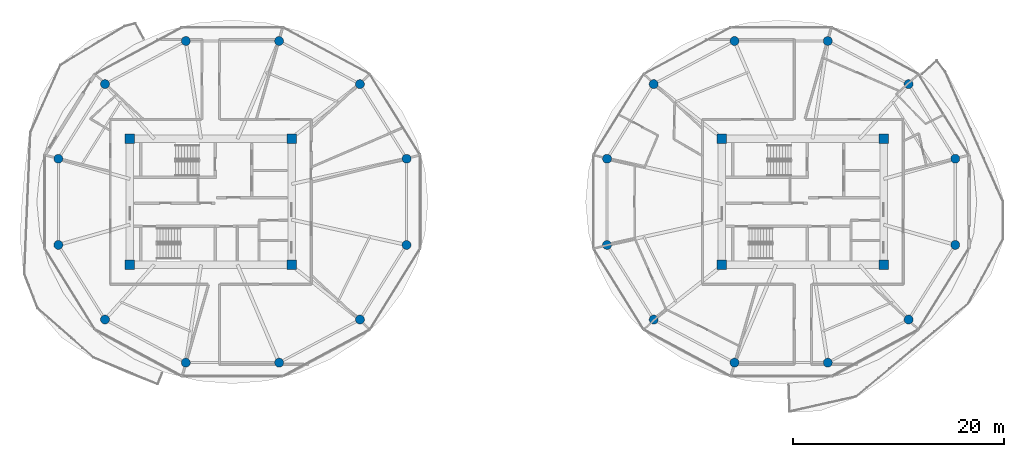
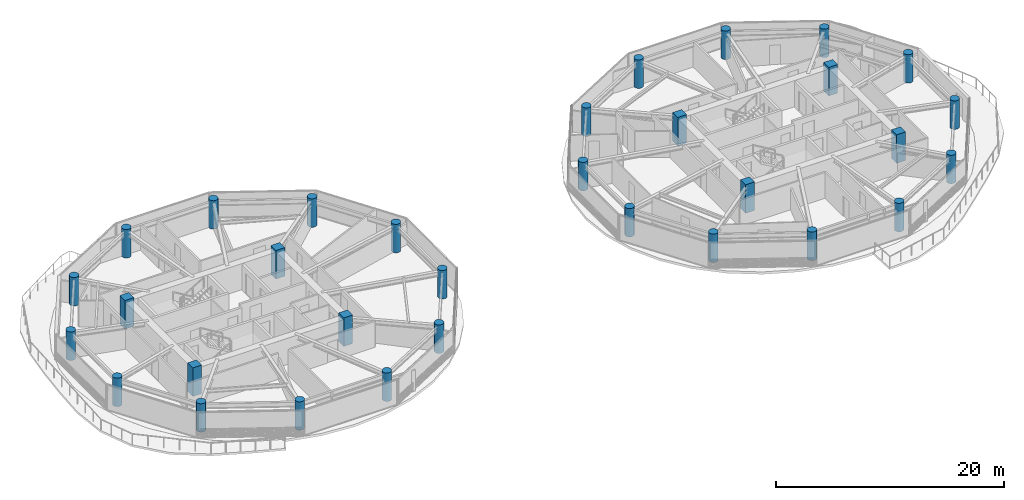
# One storey, part 1 of 22: 32 columns.
"""IFC4 building model written with IfcOpenShell, lengths in metres."""

import ifcopenshell
import ifcopenshell.guid

model = None  # the IFC model being written
_history = None  # IfcOwnerHistory: only IFC2X3 demands one
_inside = {}  # id of a spatial element -> (the spatial element, [elements in it])
_under = {}  # id of a project, library or spatial element -> (it, [spatial elements below it])
_declared = {}  # id of a project -> (the project, [libraries it declares])
_typed = {}  # id of a type object -> (the type object, [elements of that type])
_made_of = {}  # id of a material, layer set ... -> (it, [elements and type objects made of it])


def new_model(schema):
    """Start an empty IFC model of exactly this schema.

    Asked for "IFC4X3", IfcOpenShell would pick the latest addendum, in which some entities
    have other attributes; the version numbers below select the first issue.
    IFC2X3 requires an IfcOwnerHistory on every rooted entity: one is made here for all.
    """
    global model, _history
    if schema == "IFC4X3":
        model = ifcopenshell.file(schema_version=(4, 3, 0, 0))
    else:
        model = ifcopenshell.file(schema=schema)
    _inside.clear()
    _under.clear()
    _declared.clear()
    _typed.clear()
    _made_of.clear()
    _history = None
    if model.schema == "IFC2X3":
        org = make("IfcOrganization", Name="unknown")
        user = make(
            "IfcPersonAndOrganization",
            ThePerson=make("IfcPerson", FamilyName="unknown"),
            TheOrganization=org,
        )
        app = make(
            "IfcApplication",
            ApplicationDeveloper=org,
            Version="unknown",
            ApplicationFullName="unknown",
            ApplicationIdentifier="unknown",
        )
        _history = make(
            "IfcOwnerHistory",
            OwningUser=user,
            OwningApplication=app,
            ChangeAction="ADDED",
            CreationDate=0,
        )
    return model


def make(cls, **values):
    """One entity of the class cls with the attributes given. An attribute that is None is left unset."""
    return model.create_entity(
        cls, **{name: value for name, value in values.items() if value is not None}
    )


def rooted(cls, **values):
    """An entity with a GlobalId (a new one), such as an element, a storey or a relation."""
    return make(cls, GlobalId=ifcopenshell.guid.new(), OwnerHistory=_history, **values)


def si_unit(unit_type, name, prefix=None):
    """IfcSIUnit, for example si_unit("LENGTHUNIT", "METRE", prefix="MILLI")."""
    return make("IfcSIUnit", UnitType=unit_type, Prefix=prefix, Name=name)


def assignment(units):
    """IfcUnitAssignment: the units of a project."""
    return None if units is None else make("IfcUnitAssignment", Units=units)


def point(xyz):
    """IfcCartesianPoint."""
    return None if xyz is None else make("IfcCartesianPoint", Coordinates=xyz)


def direction(xyz):
    """IfcDirection."""
    return None if xyz is None else make("IfcDirection", DirectionRatios=xyz)


def frame(location, z_axis=None, x_axis=None):
    """IfcAxis2Placement3D, a coordinate frame: its origin and axes. An axis left out is left unset."""
    return make(
        "IfcAxis2Placement3D",
        Location=point(location),
        Axis=direction(z_axis),
        RefDirection=direction(x_axis),
    )


def frame_2d(location, x_axis=None):
    """IfcAxis2Placement2D, a coordinate frame in the plane: its origin and x axis."""
    return make(
        "IfcAxis2Placement2D", Location=point(location), RefDirection=direction(x_axis)
    )


def origin():
    """The frame at (0, 0, 0) with its axes left unset."""
    return frame((0.0, 0.0, 0.0))


def origin_2d():
    """The frame at (0, 0) in the plane with its x axis left unset."""
    return frame_2d((0.0, 0.0))


def place(relative_to, where):
    """IfcLocalPlacement: puts the frame where relative to a parent placement (None: the world)."""
    return make(
        "IfcLocalPlacement", PlacementRelTo=relative_to, RelativePlacement=where
    )


def context(
    kind, dimensions, precision=None, world=None, true_north=None, identifier=None
):
    """IfcGeometricRepresentationContext, for example the 3D "Model" context."""
    return make(
        "IfcGeometricRepresentationContext",
        ContextIdentifier=identifier,
        ContextType=kind,
        CoordinateSpaceDimension=dimensions,
        Precision=precision,
        WorldCoordinateSystem=world,
        TrueNorth=true_north,
    )


def subcontext(parent, identifier, kind, view, scale=None):
    """IfcGeometricRepresentationSubContext, for example "Body" below "Model"."""
    return make(
        "IfcGeometricRepresentationSubContext",
        ContextIdentifier=identifier,
        ContextType=kind,
        ParentContext=parent,
        TargetScale=scale,
        TargetView=view,
    )


def project(units=None, contexts=None):
    """IfcProject with its units and contexts."""
    return rooted(
        "IfcProject",
        Name="project",
        RepresentationContexts=contexts,
        UnitsInContext=assignment(units),
    )


def spatial(cls, under=None, at=None, **own):
    """A site, building, storey or space (cls), placed at a placement, below another one or the project."""
    s = rooted(cls, ObjectPlacement=at, **own)
    if under is not None:
        _under.setdefault(under.id(), (under, []))[1].append(s)
    return s


def profile(cls, at=None, kind="AREA", **sizes):
    """A parametric profile (cls). Its sizes go by their IFC names, for example OverallWidth=200.0."""
    return make(cls, ProfileType=kind, Position=at, **sizes)


def rectangle(**sizes):
    """IfcRectangleProfileDef."""
    return profile("IfcRectangleProfileDef", **sizes)


def circle(**sizes):
    """IfcCircleProfileDef."""
    return profile("IfcCircleProfileDef", **sizes)


def extrude(swept, where, along, depth):
    """IfcExtrudedAreaSolid: the profile swept, set in the frame where, extruded along a direction by depth."""
    return make(
        "IfcExtrudedAreaSolid",
        SweptArea=swept,
        Position=where,
        ExtrudedDirection=direction(along),
        Depth=depth,
    )


def shape(context_of_items, identifier, shape_type, items):
    """IfcShapeRepresentation: the items that make up one representation, for example the "Body"."""
    return make(
        "IfcShapeRepresentation",
        ContextOfItems=context_of_items,
        RepresentationIdentifier=identifier,
        RepresentationType=shape_type,
        Items=items,
    )


def source(mapping_origin, context_of_items, identifier, shape_type, items):
    """IfcRepresentationMap: a shape defined once, which mapped items show again and again."""
    return make(
        "IfcRepresentationMap",
        MappingOrigin=mapping_origin,
        MappedRepresentation=shape(context_of_items, identifier, shape_type, items),
    )


def transform(
    local_origin,
    x_axis=None,
    y_axis=None,
    z_axis=None,
    scale=None,
    scale2=None,
    scale3=None,
    uniform=True,
):
    """IfcCartesianTransformationOperator3D, or its non-uniform kind. x_axis, y_axis, z_axis: its Axis1, 2, 3."""
    if uniform:
        return make(
            "IfcCartesianTransformationOperator3D",
            Axis1=direction(x_axis),
            Axis2=direction(y_axis),
            LocalOrigin=point(local_origin),
            Scale=scale,
            Axis3=direction(z_axis),
        )
    return make(
        "IfcCartesianTransformationOperator3DnonUniform",
        Axis1=direction(x_axis),
        Axis2=direction(y_axis),
        LocalOrigin=point(local_origin),
        Scale=scale,
        Axis3=direction(z_axis),
        Scale2=scale2,
        Scale3=scale3,
    )


def mapped(mapping_source, mapping_target):
    """IfcMappedItem: shows the shape of a source again, moved by a transform."""
    return make(
        "IfcMappedItem", MappingSource=mapping_source, MappingTarget=mapping_target
    )


def material(Name=None, Category=None):
    """IfcMaterial."""
    return make("IfcMaterial", Name=Name, Category=Category)


def material_profile(
    of_material, cross_section, Name=None, Category=None, Priority=None
):
    """IfcMaterialProfile: a cross section and its material."""
    return make(
        "IfcMaterialProfile",
        Name=Name,
        Material=of_material,
        Profile=cross_section,
        Priority=Priority,
        Category=Category,
    )


def profile_set(profiles, Name=None, composite=None):
    """IfcMaterialProfileSet."""
    return make(
        "IfcMaterialProfileSet",
        Name=Name,
        MaterialProfiles=profiles,
        CompositeProfile=composite,
    )


def made_of(thing, what):
    """Note that an element or type object is made of a material, layer set ...; save() writes the relation."""
    if what is not None:
        _made_of.setdefault(what.id(), (what, []))[1].append(thing)
    return thing


def type_object(cls, material=None, **own):
    """A type object (cls), such as IfcWallType, which elements share."""
    return made_of(rooted(cls, **own), material)


def type_shapes(of_type, sources):
    """Give a type object the sources (RepresentationMaps) that its elements show as mapped items."""
    of_type.RepresentationMaps = sources


def element(
    cls,
    number,
    at=None,
    inside=None,
    cuts=None,
    type_object=None,
    material=None,
    context=None,
    identifier="Body",
    shape_type=None,
    held_by="IfcProductDefinitionShape",
    body=None,
    shapes=None,
    **own,
):
    """One element of the class cls, such as IfcWall. Its Tag is "e" and its number.

    at: its placement. inside: the storey or other place that contains it. cuts: it is an
    opening in that element (IfcRelVoidsElement). A single representation is given by context,
    identifier, shape_type and body (its items); several are given by shapes. held_by: the class
    of the entity that holds the representations. save() writes the other relations.
    """
    e = rooted(cls, Tag="e%d" % number, ObjectPlacement=at, **own)
    if body is not None:
        shapes = [shape(context, identifier, shape_type, body)]
    if shapes is not None:
        e.Representation = make(held_by, Representations=shapes)
    if inside is not None:
        _inside.setdefault(inside.id(), (inside, []))[1].append(e)
    if cuts is not None:
        rooted(
            "IfcRelVoidsElement", RelatingBuildingElement=cuts, RelatedOpeningElement=e
        )
    if type_object is not None:
        _typed.setdefault(type_object.id(), (type_object, []))[1].append(e)
    return made_of(e, material)


def aggregate(whole, parts):
    """IfcRelAggregates: a whole, such as a stair, and the parts it consists of."""
    return rooted("IfcRelAggregates", RelatingObject=whole, RelatedObjects=parts)


def save(model, path):
    """Write the relations noted so far, then the file.

    IfcRelAggregates (storeys below a building ...), IfcRelContainedInSpatialStructure (elements
    in a storey), IfcRelDefinesByType, IfcRelAssociatesMaterial and IfcRelDeclares: one each for
    every whole, place, type object, material and project.
    """
    for whole, parts in _under.values():
        aggregate(whole, parts)
    for where, things in _inside.values():
        rooted(
            "IfcRelContainedInSpatialStructure",
            RelatedElements=things,
            RelatingStructure=where,
        )
    for kind, things in _typed.values():
        rooted("IfcRelDefinesByType", RelatedObjects=things, RelatingType=kind)
    for what, things in _made_of.values():
        rooted("IfcRelAssociatesMaterial", RelatedObjects=things, RelatingMaterial=what)
    for by, libraries in _declared.values():
        rooted("IfcRelDeclares", RelatingContext=by, RelatedDefinitions=libraries)
    model.write(path)


model = new_model("IFC4")

# Units and contexts
model_context = context("Model", 3, precision=1e-05, world=origin(), true_north=direction((0.0, 1.0)))
body_context = subcontext(model_context, "Body", "Model", "MODEL_VIEW")
ifc_project = project(units=[si_unit("LENGTHUNIT", "METRE"), si_unit("AREAUNIT", "SQUARE_METRE"), si_unit("VOLUMEUNIT", "CUBIC_METRE"), si_unit("PLANEANGLEUNIT", "RADIAN"), si_unit("MASSUNIT", "GRAM", prefix="KILO")], contexts=[model_context])

# Site, building, storey
site_placement = place(None, origin())
site = spatial("IfcSite", under=ifc_project, at=site_placement, CompositionType="ELEMENT")
building_placement = place(site_placement, origin())
building = spatial("IfcBuilding", under=site, at=building_placement, Name="Norrkilde Senior Care Towers", CompositionType="ELEMENT")
storey_placement = place(building_placement, frame((0.0, 0.0, 96.25)))
storey = spatial("IfcBuildingStorey", under=building, at=storey_placement, Name="L29", CompositionType="ELEMENT", Elevation=96.25)

# Columns
ifc_material = material(Name="Concrete C60/75", Category="concrete")
ifc_material_profile_1 = material_profile(ifc_material, rectangle(XDim=0.89990234375, YDim=0.89990234375, at=origin_2d()), Name="RC COL 900x900")
ifc_profile_set_1 = profile_set([ifc_material_profile_1], Name="Concrete C60/75")
column_type_1 = type_object("IfcColumnType", Name="Column Core Corner Z1-Z2 900", PredefinedType="COLUMN", material=ifc_profile_set_1)
shared_shape_1 = source(origin(), body_context, "Body", "SweptSolid", [
    extrude(rectangle(XDim=0.89990234375, YDim=0.89990234375, at=origin_2d()), origin(), (0.0, 0.0, 1.0), 3.050048828125),
])
type_shapes(column_type_1, [shared_shape_1])
for number, where, z_axis, x_axis, name in (
    (1, (-35.64990234375, -5.949951171875, 0.0), (0.0, 0.0, 1.0), (1.0, 0.0, 0.0), "L29 Core W Corner Column 1"),
    (2, (-20.35009765625, -5.949951171875, 0.0), (0.0, 0.0, 1.0), (1.0, 0.0, 0.0), "L29 Core W Corner Column 2"),
    (3, (-20.35009765625, 5.949951171875, 0.0), (0.0, 0.0, 1.0), (1.0, 0.0, 0.0), "L29 Core W Corner Column 3"),
    (4, (-35.64990234375, 5.949951171875, 0.0), (0.0, 0.0, 1.0), (1.0, 0.0, 0.0), "L29 Core W Corner Column 4"),
    (5, (20.35009765625, -5.949951171875, 0.0), (0.0, 0.0, 1.0), (1.0, 0.0, 0.0), "L29 Core E Corner Column 1"),
    (6, (35.64990234375, -5.949951171875, 0.0), (0.0, 0.0, 1.0), (1.0, 0.0, 0.0), "L29 Core E Corner Column 2"),
    (7, (35.64990234375, 5.949951171875, 0.0), (0.0, 0.0, 1.0), (1.0, 0.0, 0.0), "L29 Core E Corner Column 3"),
    (8, (20.35009765625, 5.949951171875, 0.0), (0.0, 0.0, 1.0), (1.0, 0.0, 0.0), "L29 Core E Corner Column 4"),
):
    element("IfcColumn", number, at=place(storey_placement, frame(where, z_axis=z_axis, x_axis=x_axis)), inside=storey, type_object=column_type_1, Name=name, PredefinedType="COLUMN", context=body_context, shape_type="MappedRepresentation", body=[
        mapped(shared_shape_1, transform((0.0, 0.0, 0.0), x_axis=(1.0, 0.0, 0.0), y_axis=(0.0, 1.0, 0.0), z_axis=(0.0, 0.0, 1.0), scale=1.0)),
    ])
ifc_material_profile_2 = material_profile(ifc_material, circle(Radius=0.425048828125, at=origin_2d()), Name="RC CIR 850")
ifc_profile_set_2 = profile_set([ifc_material_profile_2], Name="Concrete C60/75")
column_type_2 = type_object("IfcColumnType", Name="Column Perimeter Z2 850", PredefinedType="COLUMN", material=ifc_profile_set_2)
shared_shape_2 = source(origin(), body_context, "Body", "SweptSolid", [
    extrude(circle(Radius=0.425048828125, at=origin_2d()), origin(), (0.0, 0.0, 1.0), 3.050048828125),
])
type_shapes(column_type_2, [shared_shape_2])
for number, where, z_axis, x_axis, name in (
    (9, (-9.48095703125, 4.076416015625, 0.0), (0.0, 0.0, 1.0), (1.0, 0.0, 0.0), "L29 Drum W Perimeter Column 01"),
    (10, (-13.893798828125, 11.136962890625, 0.0), (0.0, 0.0, 1.0), (1.0, 0.0, 0.0), "L29 Drum W Perimeter Column 02"),
    (11, (-21.537109375, 15.21337890625, 0.0), (0.0, 0.0, 1.0), (1.0, 0.0, 0.0), "L29 Drum W Perimeter Column 03"),
    (12, (-30.36279296875, 15.21337890625, 0.0), (0.0, 0.0, 1.0), (1.0, 0.0, 0.0), "L29 Drum W Perimeter Column 04"),
    (13, (-38.006103515625, 11.136962890625, 0.0), (0.0, 0.0, 1.0), (1.0, 0.0, 0.0), "L29 Drum W Perimeter Column 05"),
    (14, (-42.4189453125, 4.076416015625, 0.0), (0.0, 0.0, 1.0), (1.0, 0.0, 0.0), "L29 Drum W Perimeter Column 06"),
    (15, (-42.4189453125, -4.076416015625, 0.0), (0.0, 0.0, 1.0), (1.0, 0.0, 0.0), "L29 Drum W Perimeter Column 07"),
    (16, (-38.006103515625, -11.136962890625, 0.0), (0.0, 0.0, 1.0), (1.0, 0.0, 0.0), "L29 Drum W Perimeter Column 08"),
    (17, (-30.36279296875, -15.21337890625, 0.0), (0.0, 0.0, 1.0), (1.0, 0.0, 0.0), "L29 Drum W Perimeter Column 09"),
    (18, (-21.537109375, -15.21337890625, 0.0), (0.0, 0.0, 1.0), (1.0, 0.0, 0.0), "L29 Drum W Perimeter Column 10"),
    (19, (-13.893798828125, -11.136962890625, 0.0), (0.0, 0.0, 1.0), (1.0, 0.0, 0.0), "L29 Drum W Perimeter Column 11"),
    (20, (-9.48095703125, -4.076416015625, 0.0), (0.0, 0.0, 1.0), (1.0, 0.0, 0.0), "L29 Drum W Perimeter Column 12"),
    (21, (42.4189453125, 4.076416015625, 0.0), (0.0, 0.0, 1.0), (1.0, 0.0, 0.0), "L29 Drum E Perimeter Column 01"),
    (22, (38.006103515625, 11.136962890625, 0.0), (0.0, 0.0, 1.0), (1.0, 0.0, 0.0), "L29 Drum E Perimeter Column 02"),
    (23, (30.36279296875, 15.21337890625, 0.0), (0.0, 0.0, 1.0), (1.0, 0.0, 0.0), "L29 Drum E Perimeter Column 03"),
    (24, (21.537109375, 15.21337890625, 0.0), (0.0, 0.0, 1.0), (1.0, 0.0, 0.0), "L29 Drum E Perimeter Column 04"),
    (25, (13.893798828125, 11.136962890625, 0.0), (0.0, 0.0, 1.0), (1.0, 0.0, 0.0), "L29 Drum E Perimeter Column 05"),
    (26, (9.48095703125, 4.076416015625, 0.0), (0.0, 0.0, 1.0), (1.0, 0.0, 0.0), "L29 Drum E Perimeter Column 06"),
    (27, (9.48095703125, -4.076416015625, 0.0), (0.0, 0.0, 1.0), (1.0, 0.0, 0.0), "L29 Drum E Perimeter Column 07"),
    (28, (13.893798828125, -11.136962890625, 0.0), (0.0, 0.0, 1.0), (1.0, 0.0, 0.0), "L29 Drum E Perimeter Column 08"),
    (29, (21.537109375, -15.21337890625, 0.0), (0.0, 0.0, 1.0), (1.0, 0.0, 0.0), "L29 Drum E Perimeter Column 09"),
    (30, (30.36279296875, -15.21337890625, 0.0), (0.0, 0.0, 1.0), (1.0, 0.0, 0.0), "L29 Drum E Perimeter Column 10"),
    (31, (38.006103515625, -11.136962890625, 0.0), (0.0, 0.0, 1.0), (1.0, 0.0, 0.0), "L29 Drum E Perimeter Column 11"),
    (32, (42.4189453125, -4.076416015625, 0.0), (0.0, 0.0, 1.0), (1.0, 0.0, 0.0), "L29 Drum E Perimeter Column 12"),
):
    element("IfcColumn", number, at=place(storey_placement, frame(where, z_axis=z_axis, x_axis=x_axis)), inside=storey, type_object=column_type_2, Name=name, PredefinedType="COLUMN", context=body_context, shape_type="MappedRepresentation", body=[
        mapped(shared_shape_2, transform((0.0, 0.0, 0.0), x_axis=(1.0, 0.0, 0.0), y_axis=(0.0, 1.0, 0.0), z_axis=(0.0, 0.0, 1.0), scale=1.0)),
    ])

save(model, "model.ifc")
